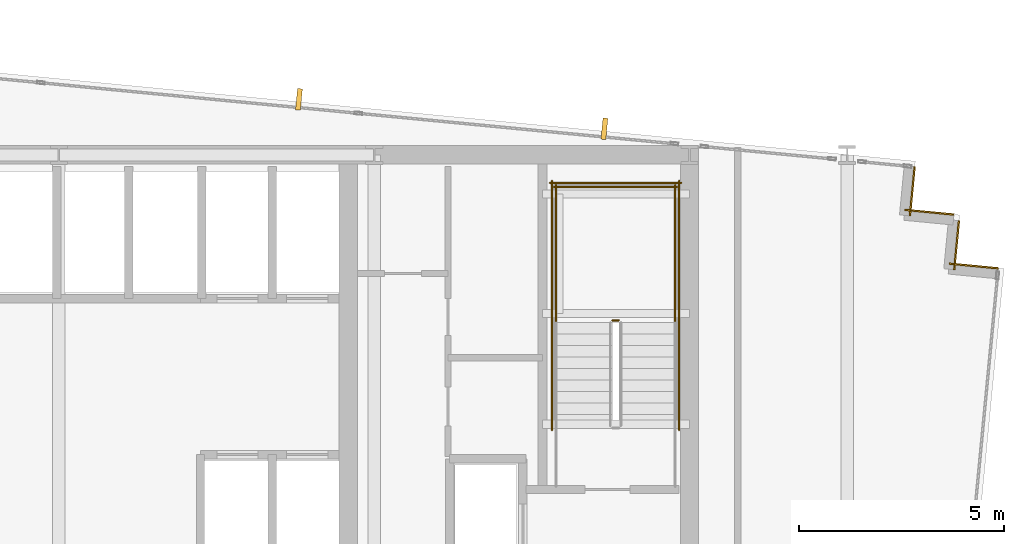
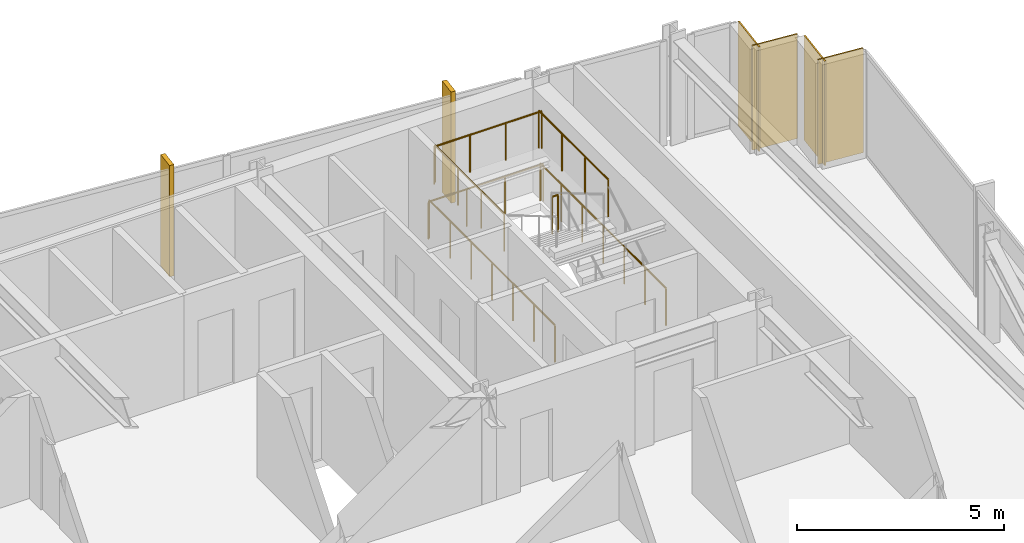
# One storey, part 37 of 37: 7 railings, 4 coverings, 2 shading devices.
"""IFC4 building model written with IfcOpenShell, lengths in metres."""

from ifc_helpers import new_model, si_unit, direction, frame, frame_2d, origin, origin_2d, place, context, subcontext, project, spatial, rectangle, circle, extrude, material, layer, layer_set, type_object, element, save


model = new_model("IFC4")

# Units and contexts
model_context = context("Model", 3, precision=1e-05, world=origin(), true_north=direction((0.0, 1.0)))
body_context = subcontext(model_context, "Body", "Model", "MODEL_VIEW")
ifc_project = project(units=[si_unit("LENGTHUNIT", "METRE"), si_unit("AREAUNIT", "SQUARE_METRE"), si_unit("VOLUMEUNIT", "CUBIC_METRE"), si_unit("PLANEANGLEUNIT", "RADIAN"), si_unit("MASSUNIT", "GRAM", prefix="KILO")], contexts=[model_context])

# Site, building, storey
site_placement = place(None, origin())
site = spatial("IfcSite", under=ifc_project, at=site_placement, CompositionType="ELEMENT")
building_placement = place(site_placement, origin())
building = spatial("IfcBuilding", under=site, at=building_placement, Name="Yelkora Congress Tower", CompositionType="ELEMENT")
storey_placement = place(building_placement, frame((0.0, 0.0, 175.39990234375)))
storey = spatial("IfcBuildingStorey", under=building, at=storey_placement, Name="L48", CompositionType="ELEMENT", Elevation=175.39990234375)

# Coverings
ifc_material_1 = material(Name="Anatolian bush-hammered limestone", Category="masonry")
ifc_layer_1 = layer(ifc_material_1, 0.0400390625)
ifc_layer_set_1 = layer_set([ifc_layer_1], Name="Anatolian bush-hammered limestone")
covering_type = type_object("IfcCoveringType", Name="COV-CLAD-SPANDREL-40", PredefinedType="CLADDING", material=ifc_layer_set_1)
covering_1_placement = place(storey_placement, frame((59.2431640625, 45.909912109375, 0.0), z_axis=(0.0, 0.0, 1.0), x_axis=(-0.095836473879, -0.995397091755, 0.0)))
element("IfcCovering", 1, at=covering_1_placement, inside=storey, type_object=covering_type, Name="L48 Anatolian Limestone Cladding EW-L48-SR11", PredefinedType="CLADDING", context=body_context, shape_type="SweptSolid", body=[
    extrude(rectangle(XDim=1.199951171875, YDim=0.0400390625, at=frame_2d((0.60009765625, 0.0))), origin(), (0.0, 0.0, 1.0), 3.080078125),
])
for number, where, z_axis, x_axis, name in (
    (2, (59.006591796875, 44.86279296875, 0.0), (0.0, 0.0, 1.0), (0.995398960025, -0.095817067274, 0.0), "L48 Anatolian Limestone Cladding EW-L48-SR12"),
    (3, (60.322509765625, 44.6005859375, 0.0), (0.0, 0.0, 1.0), (-0.095817067274, -0.995398960025, 0.0), "L48 Anatolian Limestone Cladding EW-L48-SR13"),
):
    element("IfcCovering", number, at=place(storey_placement, frame(where, z_axis=z_axis, x_axis=x_axis)), inside=storey, type_object=covering_type, Name=name, PredefinedType="CLADDING", context=body_context, shape_type="SweptSolid", body=[
        extrude(rectangle(XDim=1.2001953125, YDim=0.0400390625, at=frame_2d((0.60009765625, 0.0))), origin(), (0.0, 0.0, 1.0), 3.080078125),
    ])
covering_2_placement = place(storey_placement, frame((60.086181640625, 43.55322265625, 0.0), z_axis=(0.0, 0.0, 1.0), x_axis=(0.995397091755, -0.095836473879, 0.0)))
element("IfcCovering", 4, at=covering_2_placement, inside=storey, type_object=covering_type, Name="L48 Anatolian Limestone Cladding EW-L48-SR14", PredefinedType="CLADDING", context=body_context, shape_type="SweptSolid", body=[
    extrude(rectangle(XDim=1.199951171875, YDim=0.0400390625, at=frame_2d((0.60009765625, 0.0))), origin(), (0.0, 0.0, 1.0), 3.080078125),
])

# Railings
ifc_material_2 = material(Name="Painted galvanised steel stair well guard with vertical infill", Category="steel")
ifc_layer_2 = layer(ifc_material_2, 0.06005859375)
ifc_layer_set_2 = layer_set([ifc_layer_2], Name="Painted galvanised steel stair well guard with vertical infill")
railing_type = type_object("IfcRailingType", Name="RAIL-STAIR-GUARD-1120", PredefinedType="GUARDRAIL", material=ifc_layer_set_2)
railing_1_placement = place(storey_placement, frame((52.0400390625, 42.169921875, 1.650146484375)))
element("IfcRailing", 5, at=railing_1_placement, inside=storey, type_object=railing_type, Name="ST-02 L48 Stair Well Guardrail 2", PredefinedType="GUARDRAIL", context=body_context, shape_type="SweptSolid", body=[
    extrude(circle(Radius=0.02392578125, at=origin_2d()), frame((0.0, 0.0, 1.09619140625), z_axis=(-1.0, 0.0, 0.0), x_axis=(0.0, -1.0, 0.0)), (0.0, 0.0, 1.0), 0.16015625),
    extrude(circle(Radius=0.02099609375, at=origin_2d()), origin(), (0.0, 0.0, 1.0), 1.072021484375),
    extrude(circle(Radius=0.02099609375, at=origin_2d()), frame((-0.16015625, 0.0, 0.0)), (0.0, 0.0, 1.0), 1.072021484375),
])
for number, where, name in (
    (6, (53.409912109375, 42.1201171875, 1.650146484375), "ST-02 L48 Stair Well Guardrail 3"),
    (7, (50.510009765625, 42.1201171875, 1.650146484375), "ST-02 L48 Stair Well Guardrail 4"),
):
    element("IfcRailing", number, at=place(storey_placement, frame(where)), inside=storey, type_object=railing_type, Name=name, PredefinedType="GUARDRAIL", context=body_context, shape_type="SweptSolid", body=[
        extrude(circle(Radius=0.02392578125, at=origin_2d()), frame((0.0, 0.0, 1.09619140625), z_axis=(0.0, 1.0, 0.0), x_axis=(-1.0, 0.0, 0.0)), (0.0, 0.0, 1.0), 3.349853515625),
        extrude(circle(Radius=0.02099609375, at=origin_2d()), origin(), (0.0, 0.0, 1.0), 1.072021484375),
        extrude(circle(Radius=0.02099609375, at=origin_2d()), frame((0.0, 1.11669921875, 0.0)), (0.0, 0.0, 1.0), 1.072021484375),
        extrude(circle(Radius=0.02099609375, at=origin_2d()), frame((0.0, 2.233154296875, 0.0)), (0.0, 0.0, 1.0), 1.072021484375),
        extrude(circle(Radius=0.02099609375, at=origin_2d()), frame((0.0, 3.349853515625, 0.0)), (0.0, 0.0, 1.0), 1.072021484375),
    ])
railing_2_placement = place(storey_placement, frame((53.4599609375, 45.419921875, 1.650146484375)))
element("IfcRailing", 8, at=railing_2_placement, inside=storey, type_object=railing_type, Name="ST-02 L48 Stair Well Guardrail 5", PredefinedType="GUARDRAIL", context=body_context, shape_type="SweptSolid", body=[
    extrude(circle(Radius=0.02392578125, at=origin_2d()), frame((0.0, 0.0, 1.09619140625), z_axis=(-1.0, 0.0, 0.0), x_axis=(0.0, -1.0, 0.0)), (0.0, 0.0, 1.0), 3.0),
    extrude(circle(Radius=0.02099609375, at=origin_2d()), origin(), (0.0, 0.0, 1.0), 1.072021484375),
    extrude(circle(Radius=0.02099609375, at=origin_2d()), frame((-1.0, 0.0, 0.0)), (0.0, 0.0, 1.0), 1.072021484375),
    extrude(circle(Radius=0.02099609375, at=origin_2d()), frame((-2.0, 0.0, 0.0)), (0.0, 0.0, 1.0), 1.072021484375),
    extrude(circle(Radius=0.02099609375, at=origin_2d()), frame((-3.0, 0.0, 0.0)), (0.0, 0.0, 1.0), 1.072021484375),
])
for number, where, name in (
    (9, (53.510009765625, 39.5, 0.0), "ST-02 L48 Stair Well Guardrail 10"),
    (10, (50.409912109375, 39.5, 0.0), "ST-02 L48 Stair Well Guardrail 11"),
):
    element("IfcRailing", number, at=place(storey_placement, frame(where)), inside=storey, type_object=railing_type, Name=name, PredefinedType="GUARDRAIL", context=body_context, shape_type="SweptSolid", body=[
        extrude(circle(Radius=0.02392578125, at=origin_2d()), frame((0.0, 0.0, 1.09619140625), z_axis=(0.0, 1.0, 0.0), x_axis=(-1.0, 0.0, 0.0)), (0.0, 0.0, 1.0), 6.070068359375),
        extrude(circle(Radius=0.02099609375, at=origin_2d()), origin(), (0.0, 0.0, 1.0), 1.072021484375),
        extrude(circle(Radius=0.02099609375, at=origin_2d()), frame((0.0, 1.01171875, 0.0)), (0.0, 0.0, 1.0), 1.072021484375),
        extrude(circle(Radius=0.02099609375, at=origin_2d()), frame((0.0, 2.0234375, 0.0)), (0.0, 0.0, 1.0), 1.072021484375),
        extrude(circle(Radius=0.02099609375, at=origin_2d()), frame((0.0, 3.03515625, 0.0)), (0.0, 0.0, 1.0), 1.072021484375),
        extrude(circle(Radius=0.02099609375, at=origin_2d()), frame((0.0, 4.046630859375, 0.0)), (0.0, 0.0, 1.0), 1.072021484375),
        extrude(circle(Radius=0.02099609375, at=origin_2d()), frame((0.0, 5.058349609375, 0.0)), (0.0, 0.0, 1.0), 1.072021484375),
        extrude(circle(Radius=0.02099609375, at=origin_2d()), frame((0.0, 6.070068359375, 0.0)), (0.0, 0.0, 1.0), 1.072021484375),
    ])
railing_3_placement = place(storey_placement, frame((53.56005859375, 45.52001953125, 0.0)))
element("IfcRailing", 11, at=railing_3_placement, inside=storey, type_object=railing_type, Name="ST-02 L48 Stair Well Guardrail 12", PredefinedType="GUARDRAIL", context=body_context, shape_type="SweptSolid", body=[
    extrude(circle(Radius=0.02392578125, at=origin_2d()), frame((0.0, 0.0, 1.09619140625), z_axis=(-1.0, 0.0, 0.0), x_axis=(0.0, -1.0, 0.0)), (0.0, 0.0, 1.0), 3.199951171875),
    extrude(circle(Radius=0.02099609375, at=origin_2d()), origin(), (0.0, 0.0, 1.0), 1.072021484375),
    extrude(circle(Radius=0.02099609375, at=origin_2d()), frame((-1.066650390625, 0.0, 0.0)), (0.0, 0.0, 1.0), 1.072021484375),
    extrude(circle(Radius=0.02099609375, at=origin_2d()), frame((-2.13330078125, 0.0, 0.0)), (0.0, 0.0, 1.0), 1.072021484375),
    extrude(circle(Radius=0.02099609375, at=origin_2d()), frame((-3.199951171875, 0.0, 0.0)), (0.0, 0.0, 1.0), 1.072021484375),
])

# Shading devices
ifc_material_3 = material(Name="Champagne anodised aluminium", Category="aluminium")
ifc_layer_3 = layer(ifc_material_3, 3.300048828125)
ifc_layer_set_3 = layer_set([ifc_layer_3], Name="Champagne anodised aluminium")
shading_device_type = type_object("IfcShadingDeviceType", Name="SHD-FIN-ALU-520", PredefinedType="USERDEFINED", material=ifc_layer_set_3)
for number, where, z_axis, x_axis, name in (
    (12, (44.248291015625, 47.5546875, -0.02978515625), (0.0, 0.0, 1.0), (0.995396198367, -0.09584575252, 0.0), "L48 Vertical Anodised Solar Fin 10-5"),
    (13, (51.68798828125, 46.83837890625, -0.02978515625), (0.0, 0.0, 1.0), (0.995396198367, -0.09584575252, 0.0), "L48 Vertical Anodised Solar Fin 10-6"),
):
    element("IfcShadingDevice", number, at=place(storey_placement, frame(where, z_axis=z_axis, x_axis=x_axis)), inside=storey, type_object=shading_device_type, Name=name, ObjectType="FIN", PredefinedType="USERDEFINED", context=body_context, shape_type="SweptSolid", body=[
        extrude(rectangle(XDim=0.1201171875, YDim=0.52001953125, at=origin_2d()), origin(), (0.0, 0.0, 1.0), 3.280029296875),
    ])

save(model, "model.ifc")
